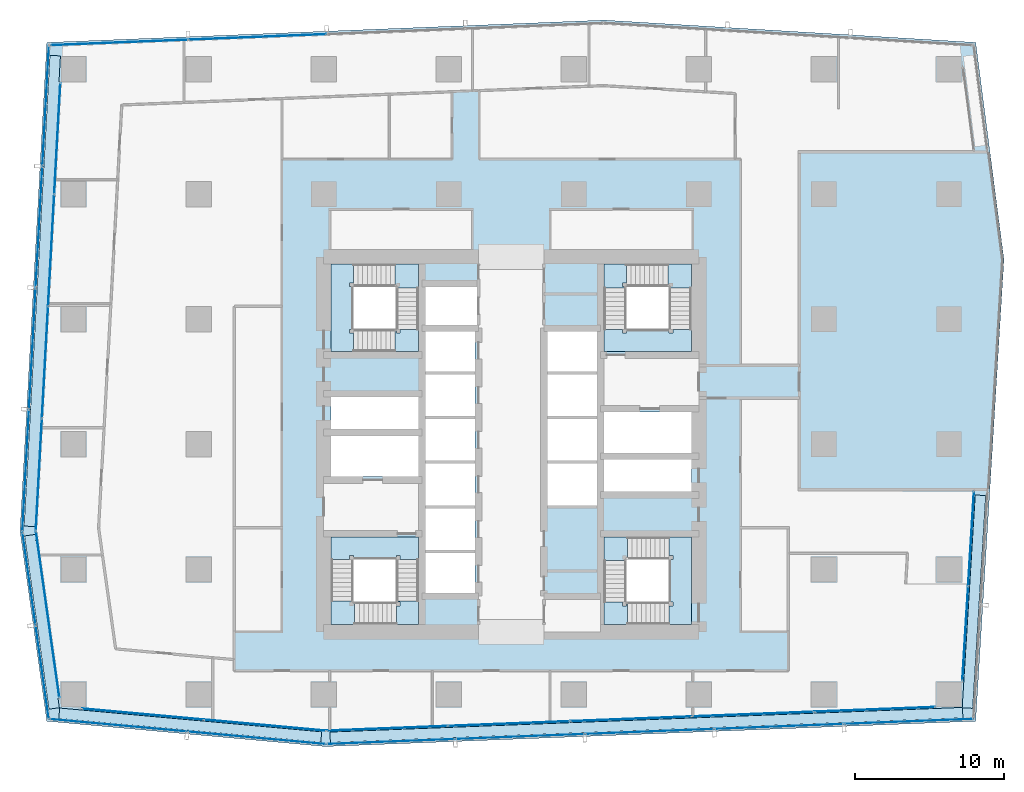
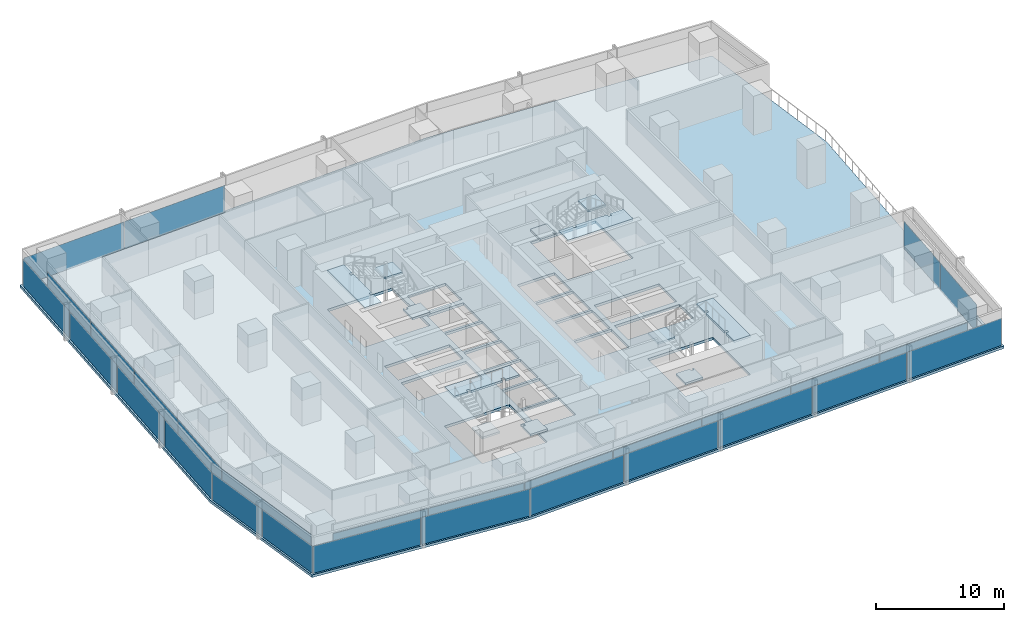
# One storey, part 27 of 40: 34 plates, 13 slabs, 14 elements without a shape of their own.
"""IFC4 building model written with IfcOpenShell, lengths in metres."""

from ifc_helpers import new_model, si_unit, direction, frame, origin, origin_2d, place, context, subcontext, project, spatial, polyline, rectangle, outline, extrude, material, layer, layer_set, type_object, element, aggregate, save


model = new_model("IFC4")

# Units and contexts
model_context = context("Model", 3, precision=1e-05, world=origin(), true_north=direction((0.0, 1.0)))
body_context = subcontext(model_context, "Body", "Model", "MODEL_VIEW")
ifc_project = project(units=[si_unit("LENGTHUNIT", "METRE"), si_unit("AREAUNIT", "SQUARE_METRE"), si_unit("VOLUMEUNIT", "CUBIC_METRE"), si_unit("PLANEANGLEUNIT", "RADIAN"), si_unit("MASSUNIT", "GRAM", prefix="KILO")], contexts=[model_context])

# Site, building, storey
site_placement = place(None, origin())
site = spatial("IfcSite", under=ifc_project, at=site_placement, CompositionType="ELEMENT")
building_placement = place(site_placement, origin())
building = spatial("IfcBuilding", under=site, at=building_placement, Name="Rekha Terrace Tower", CompositionType="ELEMENT")
storey_placement = place(building_placement, frame((0.0, 0.0, 129.050048828125)))
storey = spatial("IfcBuildingStorey", under=building, at=storey_placement, Name="L32", CompositionType="ELEMENT", Elevation=129.050048828125)

# Curtain wall, plates
ifc_material_1 = material(Name="Aluminium framing", Category="aluminium")
curtain_wall_type_1 = type_object("IfcCurtainWallType", Name="CW1 double skin inner glazing", PredefinedType="USERDEFINED", material=ifc_material_1)
curtain_wall_1_placement = place(storey_placement, origin())
curtain_wall_1 = element("IfcCurtainWall", 1, at=curtain_wall_1_placement, inside=storey, type_object=curtain_wall_type_1, Name="CW1 double skin inner glazing", ObjectType="DOUBLE SKIN INNER GLAZING", PredefinedType="USERDEFINED")
ifc_material_2 = material(Name="Double-glazed low-e unit 32", Category="glass")
ifc_layer_1 = layer(ifc_material_2, 0.031982421875)
ifc_layer_set_1 = layer_set([ifc_layer_1], Name="Double-glazed low-e unit 32")
plate_type_1 = type_object("IfcPlateType", Name="CW1 jumbo vision panel, double-glazed low-e unit 32", PredefinedType="CURTAIN_PANEL", material=ifc_layer_set_1)
plate_1_placement = place(storey_placement, frame((13.0439453125, 15.479248046875, 0.0), z_axis=(0.0, 0.0, 1.0), x_axis=(0.995901923142, -0.090439811381, 0.0)))
plate_1 = element("IfcPlate", 2, at=plate_1_placement, type_object=plate_type_1, Name="CW1 panel 1.1", PredefinedType="CURTAIN_PANEL", context=body_context, shape_type="SweptSolid", body=[
    extrude(rectangle(XDim=8.1494140625, YDim=0.031982421875, at=origin_2d()), origin(), (0.0, 0.0, 1.0), 2.60009765625),
])
plate_2_placement = place(storey_placement, frame((21.257080078125, 14.7333984375, 0.0), z_axis=(0.0, 0.0, 1.0), x_axis=(0.995901923142, -0.090439811381, 0.0)))
plate_2 = element("IfcPlate", 3, at=plate_2_placement, type_object=plate_type_1, Name="CW1 panel 2.1", PredefinedType="CURTAIN_PANEL", context=body_context, shape_type="SweptSolid", body=[
    extrude(rectangle(XDim=8.214599609375, YDim=0.031982421875, at=origin_2d()), origin(), (0.0, 0.0, 1.0), 2.60009765625),
])
aggregate(curtain_wall_1, [plate_1, plate_2])

curtain_wall_2_placement = place(storey_placement, origin())
curtain_wall_2 = element("IfcCurtainWall", 4, at=curtain_wall_2_placement, inside=storey, type_object=curtain_wall_type_1, Name="CW1 double skin inner glazing", ObjectType="DOUBLE SKIN INNER GLAZING", PredefinedType="USERDEFINED")
plate_3_placement = place(storey_placement, frame((29.4619140625, 14.52197265625, 0.0), z_axis=(0.0, 0.0, 1.0), x_axis=(0.999243498917, 0.038889971345, 0.0)))
plate_3 = element("IfcPlate", 5, at=plate_3_placement, type_object=plate_type_1, Name="CW1 panel 1.1", PredefinedType="CURTAIN_PANEL", context=body_context, shape_type="SweptSolid", body=[
    extrude(rectangle(XDim=8.105224609375, YDim=0.031982421875, at=origin_2d()), origin(), (0.0, 0.0, 1.0), 2.60009765625),
])
plate_4_placement = place(storey_placement, frame((37.64208984375, 14.84033203125, 0.0), z_axis=(0.0, 0.0, 1.0), x_axis=(0.999243498917, 0.038889971345, 0.0)))
plate_4 = element("IfcPlate", 6, at=plate_4_placement, type_object=plate_type_1, Name="CW1 panel 2.1", PredefinedType="CURTAIN_PANEL", context=body_context, shape_type="SweptSolid", body=[
    extrude(rectangle(XDim=8.1376953125, YDim=0.031982421875, at=origin_2d()), origin(), (0.0, 0.0, 1.0), 2.60009765625),
])
plate_5_placement = place(storey_placement, frame((45.838623046875, 15.159423828125, 0.0), z_axis=(0.0, 0.0, 1.0), x_axis=(0.999243498917, 0.038889971345, 0.0)))
plate_5 = element("IfcPlate", 7, at=plate_5_placement, type_object=plate_type_1, Name="CW1 panel 3.1", PredefinedType="CURTAIN_PANEL", context=body_context, shape_type="SweptSolid", body=[
    extrude(rectangle(XDim=8.1376953125, YDim=0.031982421875, at=origin_2d()), origin(), (0.0, 0.0, 1.0), 2.60009765625),
])
plate_6_placement = place(storey_placement, frame((54.034912109375, 15.478271484375, 0.0), z_axis=(0.0, 0.0, 1.0), x_axis=(0.999243498917, 0.038889971345, 0.0)))
plate_6 = element("IfcPlate", 8, at=plate_6_placement, type_object=plate_type_1, Name="CW1 panel 4.1", PredefinedType="CURTAIN_PANEL", context=body_context, shape_type="SweptSolid", body=[
    extrude(rectangle(XDim=8.1376953125, YDim=0.031982421875, at=origin_2d()), origin(), (0.0, 0.0, 1.0), 2.60009765625),
])
plate_7_placement = place(storey_placement, frame((62.21533203125, 15.796630859375, 0.0), z_axis=(0.0, 0.0, 1.0), x_axis=(0.999243498917, 0.038889971345, 0.0)))
plate_7 = element("IfcPlate", 9, at=plate_7_placement, type_object=plate_type_1, Name="CW1 panel 5.1", PredefinedType="CURTAIN_PANEL", context=body_context, shape_type="SweptSolid", body=[
    extrude(rectangle(XDim=8.105224609375, YDim=0.031982421875, at=origin_2d()), origin(), (0.0, 0.0, 1.0), 2.60009765625),
])
aggregate(curtain_wall_2, [plate_3, plate_4, plate_5, plate_6, plate_7])

curtain_wall_3_placement = place(storey_placement, origin())
curtain_wall_3 = element("IfcCurtainWall", 10, at=curtain_wall_3_placement, inside=storey, type_object=curtain_wall_type_1, Name="CW1 double skin inner glazing", ObjectType="DOUBLE SKIN INNER GLAZING", PredefinedType="USERDEFINED")
plate_8_placement = place(storey_placement, frame((68.298583984375, 20.885986328125, 0.0), z_axis=(0.0, 0.0, 1.0), x_axis=(0.061159803096, 0.998127987026, 0.0)))
plate_8 = element("IfcPlate", 11, at=plate_8_placement, type_object=plate_type_1, Name="CW1 panel 1.1", PredefinedType="CURTAIN_PANEL", context=body_context, shape_type="SweptSolid", body=[
    extrude(rectangle(XDim=6.320068359375, YDim=0.031982421875, at=origin_2d()), origin(), (0.0, 0.0, 1.0), 2.60009765625),
])
plate_9_placement = place(storey_placement, frame((68.689208984375, 27.259033203125, 0.0), z_axis=(0.0, 0.0, 1.0), x_axis=(0.061159803096, 0.998127987026, 0.0)))
plate_9 = element("IfcPlate", 12, at=plate_9_placement, type_object=plate_type_1, Name="CW1 panel 2.1", PredefinedType="CURTAIN_PANEL", context=body_context, shape_type="SweptSolid", body=[
    extrude(rectangle(XDim=6.320068359375, YDim=0.031982421875, at=origin_2d()), origin(), (0.0, 0.0, 1.0), 2.60009765625),
])
aggregate(curtain_wall_3, [plate_8, plate_9])

curtain_wall_4_placement = place(storey_placement, origin())
curtain_wall_4 = element("IfcCurtainWall", 13, at=curtain_wall_4_placement, inside=storey, type_object=curtain_wall_type_1, Name="CW1 double skin inner glazing", ObjectType="DOUBLE SKIN INNER GLAZING", PredefinedType="USERDEFINED")
plate_10_placement = place(storey_placement, frame((7.30810546875, 54.15087890625, 0.0), z_axis=(0.0, 0.0, 1.0), x_axis=(-0.054742352707, -0.99850051318, 0.0)))
plate_10 = element("IfcPlate", 14, at=plate_10_placement, type_object=plate_type_1, Name="CW1 panel 1.1", PredefinedType="CURTAIN_PANEL", context=body_context, shape_type="SweptSolid", body=[
    extrude(rectangle(XDim=7.443359375, YDim=0.031982421875, at=origin_2d()), origin(), (0.0, 0.0, 1.0), 2.60009765625),
])
plate_11_placement = place(storey_placement, frame((6.89599609375, 46.637451171875, 0.0), z_axis=(0.0, 0.0, 1.0), x_axis=(-0.054742352707, -0.99850051318, 0.0)))
plate_11 = element("IfcPlate", 15, at=plate_11_placement, type_object=plate_type_1, Name="CW1 panel 2.1", PredefinedType="CURTAIN_PANEL", context=body_context, shape_type="SweptSolid", body=[
    extrude(rectangle(XDim=7.475830078125, YDim=0.031982421875, at=origin_2d()), origin(), (0.0, 0.0, 1.0), 2.60009765625),
])
plate_12_placement = place(storey_placement, frame((6.4833984375, 39.10791015625, 0.0), z_axis=(0.0, 0.0, 1.0), x_axis=(-0.054742352707, -0.99850051318, 0.0)))
plate_12 = element("IfcPlate", 16, at=plate_12_placement, type_object=plate_type_1, Name="CW1 panel 3.1", PredefinedType="CURTAIN_PANEL", context=body_context, shape_type="SweptSolid", body=[
    extrude(rectangle(XDim=7.475830078125, YDim=0.031982421875, at=origin_2d()), origin(), (0.0, 0.0, 1.0), 2.60009765625),
])
plate_13_placement = place(storey_placement, frame((6.069580078125, 31.56201171875, 0.0), z_axis=(0.0, 0.0, 1.0), x_axis=(-0.054742352707, -0.99850051318, 0.0)))
plate_13 = element("IfcPlate", 17, at=plate_13_placement, type_object=plate_type_1, Name="CW1 panel 4.1", PredefinedType="CURTAIN_PANEL", context=body_context, shape_type="SweptSolid", body=[
    extrude(rectangle(XDim=7.508544921875, YDim=0.031982421875, at=origin_2d()), origin(), (0.0, 0.0, 1.0), 2.60009765625),
])
aggregate(curtain_wall_4, [plate_10, plate_11, plate_12, plate_13])

# Curtain wall, plate
curtain_wall_5_placement = place(storey_placement, origin())
curtain_wall_5 = element("IfcCurtainWall", 18, at=curtain_wall_5_placement, inside=storey, type_object=curtain_wall_type_1, Name="CW1 double skin inner glazing", ObjectType="DOUBLE SKIN INNER GLAZING", PredefinedType="USERDEFINED")
plate_14_placement = place(storey_placement, frame((6.65869140625, 22.177490234375, 0.0), z_axis=(0.0, 0.0, 1.0), x_axis=(0.139597048082, -0.990208394312, 0.0)))
plate_14 = element("IfcPlate", 19, at=plate_14_placement, type_object=plate_type_1, Name="CW1 panel 1.1", PredefinedType="CURTAIN_PANEL", context=body_context, shape_type="SweptSolid", body=[
    extrude(rectangle(XDim=11.253173828125, YDim=0.031982421875, at=origin_2d()), origin(), (0.0, 0.0, 1.0), 2.60009765625),
])
aggregate(curtain_wall_5, [plate_14])

# Curtain wall, plates
curtain_wall_type_2 = type_object("IfcCurtainWallType", Name="CW2 double skin outer glazing", PredefinedType="USERDEFINED", material=ifc_material_1)
curtain_wall_6_placement = place(storey_placement, origin())
curtain_wall_6 = element("IfcCurtainWall", 20, at=curtain_wall_6_placement, inside=storey, type_object=curtain_wall_type_2, Name="CW2 double skin outer glazing", ObjectType="DOUBLE SKIN OUTER GLAZING", PredefinedType="USERDEFINED")
ifc_material_3 = material(Name="Toughened single glazing 12", Category="glass")
ifc_layer_2 = layer(ifc_material_3, 0.011962890625)
ifc_layer_set_2 = layer_set([ifc_layer_2], Name="Toughened single glazing 12")
plate_type_2 = type_object("IfcPlateType", Name="CW2 jumbo vision panel, toughened single glazing 12", PredefinedType="CURTAIN_PANEL", material=ifc_layer_set_2)
plate_15_placement = place(storey_placement, frame((11.406494140625, 14.72412109375, 0.0), z_axis=(0.0, 0.0, 1.0), x_axis=(0.995901923137, -0.090439811433, 0.0)))
plate_15 = element("IfcPlate", 21, at=plate_15_placement, type_object=plate_type_2, Name="CW2 panel 1.1", PredefinedType="CURTAIN_PANEL", context=body_context, shape_type="SweptSolid", body=[
    extrude(rectangle(XDim=9.2099609375, YDim=0.011962890625, at=origin_2d()), origin(), (0.0, 0.0, 1.0), 2.60009765625),
])
plate_16_placement = place(storey_placement, frame((20.6982421875, 13.88037109375, 0.0), z_axis=(0.0, 0.0, 1.0), x_axis=(0.995901923137, -0.090439811433, 0.0)))
plate_16 = element("IfcPlate", 22, at=plate_16_placement, type_object=plate_type_2, Name="CW2 panel 2.1", PredefinedType="CURTAIN_PANEL", context=body_context, shape_type="SweptSolid", body=[
    extrude(rectangle(XDim=9.2900390625, YDim=0.011962890625, at=origin_2d()), origin(), (0.0, 0.0, 1.0), 2.60009765625),
])
aggregate(curtain_wall_6, [plate_15, plate_16])

curtain_wall_7_placement = place(storey_placement, origin())
curtain_wall_7 = element("IfcCurtainWall", 23, at=curtain_wall_7_placement, inside=storey, type_object=curtain_wall_type_2, Name="CW2 double skin outer glazing", ObjectType="DOUBLE SKIN OUTER GLAZING", PredefinedType="USERDEFINED")
plate_17_placement = place(storey_placement, frame((29.696533203125, 13.63037109375, 0.0), z_axis=(0.0, 0.0, 1.0), x_axis=(0.999243498917, 0.038889971345, 0.0)))
plate_17 = element("IfcPlate", 24, at=plate_17_placement, type_object=plate_type_2, Name="CW2 panel 1.1", PredefinedType="CURTAIN_PANEL", context=body_context, shape_type="SweptSolid", body=[
    extrude(rectangle(XDim=8.591552734375, YDim=0.011962890625, at=origin_2d()), origin(), (0.0, 0.0, 1.0), 2.60009765625),
])
plate_18_placement = place(storey_placement, frame((38.381591796875, 13.968505859375, 0.0), z_axis=(0.0, 0.0, 1.0), x_axis=(0.999243498917, 0.038889971345, 0.0)))
plate_18 = element("IfcPlate", 25, at=plate_18_placement, type_object=plate_type_2, Name="CW2 panel 2.1", PredefinedType="CURTAIN_PANEL", context=body_context, shape_type="SweptSolid", body=[
    extrude(rectangle(XDim=8.631591796875, YDim=0.011962890625, at=origin_2d()), origin(), (0.0, 0.0, 1.0), 2.60009765625),
])
plate_19_placement = place(storey_placement, frame((47.086669921875, 14.307373046875, 0.0), z_axis=(0.0, 0.0, 1.0), x_axis=(0.999243498917, 0.038889971345, 0.0)))
plate_19 = element("IfcPlate", 26, at=plate_19_placement, type_object=plate_type_2, Name="CW2 panel 3.1", PredefinedType="CURTAIN_PANEL", context=body_context, shape_type="SweptSolid", body=[
    extrude(rectangle(XDim=8.631591796875, YDim=0.011962890625, at=origin_2d()), origin(), (0.0, 0.0, 1.0), 2.60009765625),
])
plate_20_placement = place(storey_placement, frame((55.791748046875, 14.64599609375, 0.0), z_axis=(0.0, 0.0, 1.0), x_axis=(0.999243498917, 0.038889971345, 0.0)))
plate_20 = element("IfcPlate", 27, at=plate_20_placement, type_object=plate_type_2, Name="CW2 panel 4.1", PredefinedType="CURTAIN_PANEL", context=body_context, shape_type="SweptSolid", body=[
    extrude(rectangle(XDim=8.631591796875, YDim=0.011962890625, at=origin_2d()), origin(), (0.0, 0.0, 1.0), 2.60009765625),
])
plate_21_placement = place(storey_placement, frame((64.5166015625, 14.985595703125, 0.0), z_axis=(0.0, 0.0, 1.0), x_axis=(0.999243498917, 0.038889971345, 0.0)))
plate_21 = element("IfcPlate", 28, at=plate_21_placement, type_object=plate_type_2, Name="CW2 panel 5.1", PredefinedType="CURTAIN_PANEL", context=body_context, shape_type="SweptSolid", body=[
    extrude(rectangle(XDim=8.671630859375, YDim=0.011962890625, at=origin_2d()), origin(), (0.0, 0.0, 1.0), 2.60009765625),
])
aggregate(curtain_wall_7, [plate_17, plate_18, plate_19, plate_20, plate_21])

curtain_wall_8_placement = place(storey_placement, origin())
curtain_wall_8 = element("IfcCurtainWall", 29, at=curtain_wall_8_placement, inside=storey, type_object=curtain_wall_type_2, Name="CW2 double skin outer glazing", ObjectType="DOUBLE SKIN OUTER GLAZING", PredefinedType="USERDEFINED")
plate_22_placement = place(storey_placement, frame((6.52685546875, 56.342041015625, 0.0), z_axis=(0.0, 0.0, 1.0), x_axis=(-0.054742352707, -0.99850051318, 0.0)))
plate_22 = element("IfcPlate", 30, at=plate_22_placement, type_object=plate_type_2, Name="CW2 panel 1.1", PredefinedType="CURTAIN_PANEL", context=body_context, shape_type="SweptSolid", body=[
    extrude(rectangle(XDim=8.06005859375, YDim=0.011962890625, at=origin_2d()), origin(), (0.0, 0.0, 1.0), 2.60009765625),
])
plate_23_placement = place(storey_placement, frame((6.080078125, 48.1943359375, 0.0), z_axis=(0.0, 0.0, 1.0), x_axis=(-0.054742352707, -0.99850051318, 0.0)))
plate_23 = element("IfcPlate", 31, at=plate_23_placement, type_object=plate_type_2, Name="CW2 panel 2.1", PredefinedType="CURTAIN_PANEL", context=body_context, shape_type="SweptSolid", body=[
    extrude(rectangle(XDim=8.10009765625, YDim=0.011962890625, at=origin_2d()), origin(), (0.0, 0.0, 1.0), 2.60009765625),
])
plate_24_placement = place(storey_placement, frame((5.63232421875, 40.026611328125, 0.0), z_axis=(0.0, 0.0, 1.0), x_axis=(-0.054742352707, -0.99850051318, 0.0)))
plate_24 = element("IfcPlate", 32, at=plate_24_placement, type_object=plate_type_2, Name="CW2 panel 3.1", PredefinedType="CURTAIN_PANEL", context=body_context, shape_type="SweptSolid", body=[
    extrude(rectangle(XDim=8.10009765625, YDim=0.011962890625, at=origin_2d()), origin(), (0.0, 0.0, 1.0), 2.60009765625),
])
plate_25_placement = place(storey_placement, frame((5.183349609375, 31.8388671875, 0.0), z_axis=(0.0, 0.0, 1.0), x_axis=(-0.054742352707, -0.99850051318, 0.0)))
plate_25 = element("IfcPlate", 33, at=plate_25_placement, type_object=plate_type_2, Name="CW2 panel 4.1", PredefinedType="CURTAIN_PANEL", context=body_context, shape_type="SweptSolid", body=[
    extrude(rectangle(XDim=8.14013671875, YDim=0.011962890625, at=origin_2d()), origin(), (0.0, 0.0, 1.0), 2.60009765625),
])
aggregate(curtain_wall_8, [plate_22, plate_23, plate_24, plate_25])

curtain_wall_9_placement = place(storey_placement, origin())
curtain_wall_9 = element("IfcCurtainWall", 34, at=curtain_wall_9_placement, inside=storey, type_object=curtain_wall_type_2, Name="CW2 double skin outer glazing", ObjectType="DOUBLE SKIN OUTER GLAZING", PredefinedType="USERDEFINED")
plate_26_placement = place(storey_placement, frame((5.408447265625, 24.598388671875, 0.0), z_axis=(0.0, 0.0, 1.0), x_axis=(0.139597048082, -0.990208394312, 0.0)))
plate_26 = element("IfcPlate", 35, at=plate_26_placement, type_object=plate_type_2, Name="CW2 panel 1.1", PredefinedType="CURTAIN_PANEL", context=body_context, shape_type="SweptSolid", body=[
    extrude(rectangle(XDim=6.255859375, YDim=0.011962890625, at=origin_2d()), origin(), (0.0, 0.0, 1.0), 2.60009765625),
])
plate_27_placement = place(storey_placement, frame((6.298583984375, 18.284912109375, 0.0), z_axis=(0.0, 0.0, 1.0), x_axis=(0.139597048082, -0.990208394312, 0.0)))
plate_27 = element("IfcPlate", 36, at=plate_27_placement, type_object=plate_type_2, Name="CW2 panel 2.1", PredefinedType="CURTAIN_PANEL", context=body_context, shape_type="SweptSolid", body=[
    extrude(rectangle(XDim=6.3359375, YDim=0.011962890625, at=origin_2d()), origin(), (0.0, 0.0, 1.0), 2.60009765625),
])
aggregate(curtain_wall_9, [plate_26, plate_27])

curtain_wall_type_3 = type_object("IfcCurtainWallType", Name="CW3 north unitised glazing", PredefinedType="USERDEFINED", material=ifc_material_1)
curtain_wall_10_placement = place(storey_placement, origin())
curtain_wall_10 = element("IfcCurtainWall", 37, at=curtain_wall_10_placement, inside=storey, type_object=curtain_wall_type_3, Name="CW3 unitised curtain wall", ObjectType="UNITISED CURTAIN WALL", PredefinedType="USERDEFINED")
ifc_material_4 = material(Name="Double-glazed unit 28", Category="glass")
ifc_layer_3 = layer(ifc_material_4, 0.028076171875)
ifc_layer_set_3 = layer_set([ifc_layer_3], Name="Double-glazed unit 28")
plate_type_3 = type_object("IfcPlateType", Name="CW3 jumbo vision panel, double-glazed unit 28", PredefinedType="CURTAIN_PANEL", material=ifc_layer_set_3)
plate_28_placement = place(storey_placement, frame((20.7578125, 60.967041015625, 0.0), z_axis=(0.0, 0.0, 1.0), x_axis=(-0.999198398721, -0.040031987119, 0.0)))
plate_28 = element("IfcPlate", 38, at=plate_28_placement, type_object=plate_type_3, Name="CW3 panel 3.1", PredefinedType="CURTAIN_PANEL", context=body_context, shape_type="SweptSolid", body=[
    extrude(rectangle(XDim=9.24951171875, YDim=0.028076171875, at=origin_2d()), origin(), (0.0, 0.0, 1.0), 2.60009765625),
])
plate_29_placement = place(storey_placement, frame((11.46337890625, 60.5947265625, 0.0), z_axis=(0.0, 0.0, 1.0), x_axis=(-0.999198398721, -0.040031987119, 0.0)))
plate_29 = element("IfcPlate", 39, at=plate_29_placement, type_object=plate_type_3, Name="CW3 panel 4.1", PredefinedType="CURTAIN_PANEL", context=body_context, shape_type="SweptSolid", body=[
    extrude(rectangle(XDim=9.214599609375, YDim=0.028076171875, at=origin_2d()), origin(), (0.0, 0.0, 1.0), 2.60009765625),
])
aggregate(curtain_wall_10, [plate_28, plate_29])

# Plates
ifc_material_5 = material(Name="Galvanised steel open grating", Category="steel")
ifc_layer_4 = layer(ifc_material_5, 0.050048828125)
ifc_layer_set_4 = layer_set([ifc_layer_4], Name="Galvanised steel open grating")
plate_type_4 = type_object("IfcPlateType", Name="GT1 cavity walkway grating 50", PredefinedType="USERDEFINED", material=ifc_layer_set_4)
plate_30_placement = place(storey_placement, frame((16.236083984375, 14.737548828125, 0.0), z_axis=(0.0, 0.0, 1.0), x_axis=(0.99590192314, -0.090439811399, 0.0)))
element("IfcPlate", 40, at=plate_30_placement, inside=storey, type_object=plate_type_4, Name="Cavity walkway grating", ObjectType="CAVITY WALKWAY GRATING", PredefinedType="USERDEFINED", context=body_context, shape_type="SweptSolid", body=[
    extrude(rectangle(XDim=17.674072265625, YDim=0.705078125, at=origin_2d()), origin(), (0.0, 0.0, 1.0), 0.050048828125),
])
plate_31_placement = place(storey_placement, frame((46.88037109375, 14.74951171875, 0.0), z_axis=(0.0, 0.0, 1.0), x_axis=(0.999243498917, 0.038889971345, 0.0)))
element("IfcPlate", 41, at=plate_31_placement, inside=storey, type_object=plate_type_4, Name="Cavity walkway grating", ObjectType="CAVITY WALKWAY GRATING", PredefinedType="USERDEFINED", context=body_context, shape_type="SweptSolid", body=[
    extrude(rectangle(XDim=42.521728515625, YDim=0.705078125, at=origin_2d()), origin(), (0.0, 0.0, 1.0), 0.050048828125),
])
plate_32_placement = place(storey_placement, frame((68.881103515625, 23.032958984375, 0.0), z_axis=(0.0, 0.0, 1.0), x_axis=(0.061159803131, 0.998127987024, 0.0)))
element("IfcPlate", 42, at=plate_32_placement, inside=storey, type_object=plate_type_4, Name="Cavity walkway grating", ObjectType="CAVITY WALKWAY GRATING", PredefinedType="USERDEFINED", context=body_context, shape_type="SweptSolid", body=[
    extrude(rectangle(XDim=14.31787109375, YDim=0.705078125, at=origin_2d()), origin(), (0.0, 0.0, 1.0), 0.050048828125),
])
plate_33_placement = place(storey_placement, frame((6.295654296875, 43.9033203125, 0.0), z_axis=(0.0, 0.0, 1.0), x_axis=(-0.05474235269, -0.998500513181, 0.0)))
element("IfcPlate", 43, at=plate_33_placement, inside=storey, type_object=plate_type_4, Name="Cavity walkway grating", ObjectType="CAVITY WALKWAY GRATING", PredefinedType="USERDEFINED", context=body_context, shape_type="SweptSolid", body=[
    extrude(rectangle(XDim=31.6669921875, YDim=0.705078125, at=origin_2d()), origin(), (0.0, 0.0, 1.0), 0.050048828125),
])
plate_34_placement = place(storey_placement, frame((6.2744140625, 21.678955078125, 0.0), z_axis=(0.0, 0.0, 1.0), x_axis=(0.139597048064, -0.990208394315, 0.0)))
element("IfcPlate", 44, at=plate_34_placement, inside=storey, type_object=plate_type_4, Name="Cavity walkway grating", ObjectType="CAVITY WALKWAY GRATING", PredefinedType="USERDEFINED", context=body_context, shape_type="SweptSolid", body=[
    extrude(rectangle(XDim=11.751220703125, YDim=0.705078125, at=origin_2d()), origin(), (0.0, 0.0, 1.0), 0.050048828125),
])

# Stair, slabs
ifc_material_6 = material(Name="Concrete M40", Category="concrete")
stair_type = type_object("IfcStairType", Name="ST30 stair, 30 risers of 125, going 310, 1500 wide flights, 3 flights", PredefinedType="HALF_TURN_STAIR", material=ifc_material_6)
stair_1_placement = place(storey_placement, origin())
stair_1 = element("IfcStair", 45, at=stair_1_placement, inside=storey, type_object=stair_type, Name="Stair ST1 L32 to L33", PredefinedType="HALF_TURN_STAIR")
ifc_layer_5 = layer(ifc_material_6, 0.199951171875)
ifc_layer_set_5 = layer_set([ifc_layer_5], Name="Concrete M40")
slab_type_1 = type_object("IfcSlabType", Name="LD1 200 concrete stair landing", PredefinedType="LANDING", material=ifc_layer_set_5)
slab_1_placement = place(storey_placement, frame((0.0, 0.0, 1.050048828125)))
slab_1 = element("IfcSlab", 46, at=slab_1_placement, type_object=slab_type_1, Name="ST1 landing 1", PredefinedType="LANDING", context=body_context, shape_type="SweptSolid", body=[
    extrude(outline(polyline([(30.074951171875, 21.5), (31.574951171875, 21.5), (31.574951171875, 23.0849609375), (30.074951171875, 23.0849609375), (30.074951171875, 23.0), (30.324951171875, 23.0), (30.324951171875, 22.75), (30.074951171875, 22.75), (30.074951171875, 21.5)])), origin(), (0.0, 0.0, 1.0), 0.199951171875),
])
slab_2_placement = place(storey_placement, frame((0.0, 0.0, 2.300048828125)))
slab_2 = element("IfcSlab", 47, at=slab_2_placement, type_object=slab_type_1, Name="ST1 landing 2", PredefinedType="LANDING", context=body_context, shape_type="SweptSolid", body=[
    extrude(outline(polyline([(27.199951171875, 23.0849609375), (25.699951171875, 23.0849609375), (25.699951171875, 21.5), (27.284912109375, 21.5), (27.284912109375, 23.0), (27.199951171875, 23.0), (27.199951171875, 23.0849609375)])), origin(), (0.0, 0.0, 1.0), 0.199951171875),
])
slab_3_placement = place(storey_placement, frame((0.0, 0.0, 3.550048828125)))
slab_3 = element("IfcSlab", 48, at=slab_3_placement, type_object=slab_type_1, Name="ST1 landing 3", PredefinedType="LANDING", context=body_context, shape_type="SweptSolid", body=[
    extrude(outline(polyline([(31.574951171875, 25.875), (31.574951171875, 27.375), (25.699951171875, 27.375), (25.699951171875, 25.875), (26.949951171875, 25.875), (26.949951171875, 26.125), (27.199951171875, 26.125), (27.199951171875, 25.875), (30.074951171875, 25.875), (30.074951171875, 26.125), (30.324951171875, 26.125), (30.324951171875, 25.875), (31.574951171875, 25.875)])), origin(), (0.0, 0.0, 1.0), 0.199951171875),
])
aggregate(stair_1, [slab_1, slab_2, slab_3])

stair_2_placement = place(storey_placement, origin())
stair_2 = element("IfcStair", 49, at=stair_2_placement, inside=storey, type_object=stair_type, Name="Stair ST2 L32 to L33", PredefinedType="HALF_TURN_STAIR")
slab_4_placement = place(storey_placement, frame((0.0, 0.0, 1.050048828125)))
slab_4 = element("IfcSlab", 50, at=slab_4_placement, type_object=slab_type_1, Name="ST2 landing 1", PredefinedType="LANDING", context=body_context, shape_type="SweptSolid", body=[
    extrude(outline(polyline([(45.52490234375, 45.699951171875), (44.02490234375, 45.699951171875), (44.02490234375, 44.114990234375), (45.52490234375, 44.114990234375), (45.52490234375, 44.199951171875), (45.27490234375, 44.199951171875), (45.27490234375, 44.449951171875), (45.52490234375, 44.449951171875), (45.52490234375, 45.699951171875)])), origin(), (0.0, 0.0, 1.0), 0.199951171875),
])
slab_5_placement = place(storey_placement, frame((0.0, 0.0, 2.300048828125)))
slab_5 = element("IfcSlab", 51, at=slab_5_placement, type_object=slab_type_1, Name="ST2 landing 2", PredefinedType="LANDING", context=body_context, shape_type="SweptSolid", body=[
    extrude(outline(polyline([(48.39990234375, 44.114990234375), (49.89990234375, 44.114990234375), (49.89990234375, 45.699951171875), (48.31494140625, 45.699951171875), (48.31494140625, 44.199951171875), (48.39990234375, 44.199951171875), (48.39990234375, 44.114990234375)])), origin(), (0.0, 0.0, 1.0), 0.199951171875),
])
slab_6_placement = place(storey_placement, frame((0.0, 0.0, 3.550048828125)))
slab_6 = element("IfcSlab", 52, at=slab_6_placement, type_object=slab_type_1, Name="ST2 landing 3", PredefinedType="LANDING", context=body_context, shape_type="SweptSolid", body=[
    extrude(outline(polyline([(44.02490234375, 41.324951171875), (44.02490234375, 39.824951171875), (49.89990234375, 39.824951171875), (49.89990234375, 41.324951171875), (48.64990234375, 41.324951171875), (48.64990234375, 41.074951171875), (48.39990234375, 41.074951171875), (48.39990234375, 41.324951171875), (45.52490234375, 41.324951171875), (45.52490234375, 41.074951171875), (45.27490234375, 41.074951171875), (45.27490234375, 41.324951171875), (44.02490234375, 41.324951171875)])), origin(), (0.0, 0.0, 1.0), 0.199951171875),
])
aggregate(stair_2, [slab_4, slab_5, slab_6])

stair_3_placement = place(storey_placement, origin())
stair_3 = element("IfcStair", 53, at=stair_3_placement, inside=storey, type_object=stair_type, Name="Stair ST3 L32 to L33", PredefinedType="HALF_TURN_STAIR")
slab_7_placement = place(storey_placement, frame((0.0, 0.0, 1.050048828125)))
slab_7 = element("IfcSlab", 54, at=slab_7_placement, type_object=slab_type_1, Name="ST3 landing 1", PredefinedType="LANDING", context=body_context, shape_type="SweptSolid", body=[
    extrude(outline(polyline([(44.02490234375, 23.0), (44.02490234375, 21.5), (45.610107421875, 21.5), (45.610107421875, 23.0), (45.52490234375, 23.0), (45.52490234375, 22.75), (45.27490234375, 22.75), (45.27490234375, 23.0), (44.02490234375, 23.0)])), origin(), (0.0, 0.0, 1.0), 0.199951171875),
])
slab_8_placement = place(storey_placement, frame((0.0, 0.0, 2.300048828125)))
slab_8 = element("IfcSlab", 55, at=slab_8_placement, type_object=slab_type_1, Name="ST3 landing 2", PredefinedType="LANDING", context=body_context, shape_type="SweptSolid", body=[
    extrude(outline(polyline([(45.610107421875, 25.875), (45.610107421875, 27.375), (44.02490234375, 27.375), (44.02490234375, 25.7900390625), (45.52490234375, 25.7900390625), (45.52490234375, 25.875), (45.610107421875, 25.875)])), origin(), (0.0, 0.0, 1.0), 0.199951171875),
])
slab_9_placement = place(storey_placement, frame((0.0, 0.0, 3.550048828125)))
slab_9 = element("IfcSlab", 56, at=slab_9_placement, type_object=slab_type_1, Name="ST3 landing 3", PredefinedType="LANDING", context=body_context, shape_type="SweptSolid", body=[
    extrude(outline(polyline([(48.39990234375, 21.5), (49.89990234375, 21.5), (49.89990234375, 27.375), (48.39990234375, 27.375), (48.39990234375, 26.125), (48.64990234375, 26.125), (48.64990234375, 25.875), (48.39990234375, 25.875), (48.39990234375, 23.0), (48.64990234375, 23.0), (48.64990234375, 22.75), (48.39990234375, 22.75), (48.39990234375, 21.5)])), origin(), (0.0, 0.0, 1.0), 0.199951171875),
])
aggregate(stair_3, [slab_7, slab_8, slab_9])

stair_4_placement = place(storey_placement, origin())
stair_4 = element("IfcStair", 57, at=stair_4_placement, inside=storey, type_object=stair_type, Name="Stair ST4 L32 to L33", PredefinedType="HALF_TURN_STAIR")
slab_10_placement = place(storey_placement, frame((0.0, 0.0, 1.050048828125)))
slab_10 = element("IfcSlab", 58, at=slab_10_placement, type_object=slab_type_1, Name="ST4 landing 1", PredefinedType="LANDING", context=body_context, shape_type="SweptSolid", body=[
    extrude(outline(polyline([(31.574951171875, 41.324951171875), (31.574951171875, 39.824951171875), (29.989990234375, 39.824951171875), (29.989990234375, 41.324951171875), (30.074951171875, 41.324951171875), (30.074951171875, 41.074951171875), (30.324951171875, 41.074951171875), (30.324951171875, 41.324951171875), (31.574951171875, 41.324951171875)])), origin(), (0.0, 0.0, 1.0), 0.199951171875),
])
slab_11_placement = place(storey_placement, frame((0.0, 0.0, 2.300048828125)))
slab_11 = element("IfcSlab", 59, at=slab_11_placement, type_object=slab_type_1, Name="ST4 landing 2", PredefinedType="LANDING", context=body_context, shape_type="SweptSolid", body=[
    extrude(outline(polyline([(29.989990234375, 44.199951171875), (29.989990234375, 45.699951171875), (31.574951171875, 45.699951171875), (31.574951171875, 44.114990234375), (30.074951171875, 44.114990234375), (30.074951171875, 44.199951171875), (29.989990234375, 44.199951171875)])), origin(), (0.0, 0.0, 1.0), 0.199951171875),
])
slab_12_placement = place(storey_placement, frame((0.0, 0.0, 3.550048828125)))
slab_12 = element("IfcSlab", 60, at=slab_12_placement, type_object=slab_type_1, Name="ST4 landing 3", PredefinedType="LANDING", context=body_context, shape_type="SweptSolid", body=[
    extrude(outline(polyline([(27.199951171875, 39.824951171875), (25.699951171875, 39.824951171875), (25.699951171875, 45.699951171875), (27.199951171875, 45.699951171875), (27.199951171875, 44.449951171875), (26.949951171875, 44.449951171875), (26.949951171875, 44.199951171875), (27.199951171875, 44.199951171875), (27.199951171875, 41.324951171875), (26.949951171875, 41.324951171875), (26.949951171875, 41.074951171875), (27.199951171875, 41.074951171875), (27.199951171875, 39.824951171875)])), origin(), (0.0, 0.0, 1.0), 0.199951171875),
])
aggregate(stair_4, [slab_10, slab_11, slab_12])

# Slab
ifc_material_7 = material(Name="Concrete M50", Category="concrete")
ifc_layer_6 = layer(ifc_material_7, 0.25)
ifc_layer_set_6 = layer_set([ifc_layer_6], Name="Concrete M50")
slab_type_2 = type_object("IfcSlabType", Name="SL4 250 post-tensioned flat plate", PredefinedType="FLOOR", material=ifc_layer_set_6)
slab_13_placement = place(storey_placement, frame((0.0, 0.0, -0.25)))
element("IfcSlab", 61, at=slab_13_placement, inside=storey, type_object=slab_type_2, Name="Post-tensioned flat plate L32", PredefinedType="FLOOR", context=body_context, shape_type="SweptSolid", body=[
    extrude(outline(polyline([(4.800048828125, 27.76806640625), (6.60009765625, 15.0), (25.320068359375, 13.300048828125), (69.0, 15.0), (70.89990234375, 46.008056640625), (69.0, 60.60009765625), (44.0400390625, 62.10009765625), (6.60009765625, 60.60009765625), (4.800048828125, 27.76806640625)]), holes=[polyline([(31.574951171875, 27.375), (31.574951171875, 21.5), (25.699951171875, 21.5), (25.699951171875, 27.375), (31.574951171875, 27.375)]), polyline([(35.375, 26.300048828125), (35.375, 23.625), (32.02490234375, 23.625), (32.02490234375, 26.300048828125), (35.375, 26.300048828125)]), polyline([(35.375, 29.300048828125), (35.375, 26.5), (32.02490234375, 26.5), (32.02490234375, 29.300048828125), (35.375, 29.300048828125)]), polyline([(35.375, 32.300048828125), (35.375, 29.5), (32.02490234375, 29.5), (32.02490234375, 32.300048828125), (35.375, 32.300048828125)]), polyline([(31.574951171875, 34.175048828125), (31.574951171875, 31.425048828125), (25.699951171875, 31.425048828125), (25.699951171875, 34.175048828125), (31.574951171875, 34.175048828125)]), polyline([(35.375, 35.300048828125), (35.375, 32.5), (32.02490234375, 32.5), (32.02490234375, 35.300048828125), (35.375, 35.300048828125)]), polyline([(31.574951171875, 36.77490234375), (31.574951171875, 34.625), (25.699951171875, 34.625), (25.699951171875, 36.77490234375), (31.574951171875, 36.77490234375)]), polyline([(35.375, 35.5), (32.02490234375, 35.5), (32.02490234375, 38.300048828125), (35.375, 38.300048828125), (35.375, 35.5)]), polyline([(35.375, 38.5), (32.02490234375, 38.5), (32.02490234375, 41.175048828125), (35.375, 41.175048828125), (35.375, 38.5)]), polyline([(31.574951171875, 45.699951171875), (31.574951171875, 39.824951171875), (25.699951171875, 39.824951171875), (25.699951171875, 45.699951171875), (31.574951171875, 45.699951171875)]), polyline([(49.89990234375, 27.375), (49.89990234375, 21.5), (44.02490234375, 21.5), (44.02490234375, 27.375), (49.89990234375, 27.375)]), polyline([(43.574951171875, 32.300048828125), (43.574951171875, 29.5), (40.22509765625, 29.5), (40.22509765625, 32.300048828125), (43.574951171875, 32.300048828125)]), polyline([(49.89990234375, 30.425048828125), (44.02490234375, 30.425048828125), (44.02490234375, 32.574951171875), (49.89990234375, 32.574951171875), (49.89990234375, 30.425048828125)]), polyline([(43.574951171875, 32.5), (40.22509765625, 32.5), (40.22509765625, 35.300048828125), (43.574951171875, 35.300048828125), (43.574951171875, 32.5)]), polyline([(49.89990234375, 35.77490234375), (49.89990234375, 33.02490234375), (44.02490234375, 33.02490234375), (44.02490234375, 35.77490234375), (49.89990234375, 35.77490234375)]), polyline([(43.574951171875, 38.300048828125), (43.574951171875, 35.5), (40.22509765625, 35.5), (40.22509765625, 38.300048828125), (43.574951171875, 38.300048828125)]), polyline([(43.574951171875, 41.175048828125), (43.574951171875, 38.5), (40.22509765625, 38.5), (40.22509765625, 41.175048828125), (43.574951171875, 41.175048828125)]), polyline([(49.89990234375, 39.824951171875), (44.02490234375, 39.824951171875), (44.02490234375, 45.699951171875), (49.89990234375, 45.699951171875), (49.89990234375, 39.824951171875)]), polyline([(35.5, 41.625), (32.02490234375, 41.625), (32.02490234375, 44.175048828125), (35.5, 44.175048828125), (35.5, 41.625)])]), origin(), (0.0, 0.0, 1.0), 0.25),
])

save(model, "model.ifc")
